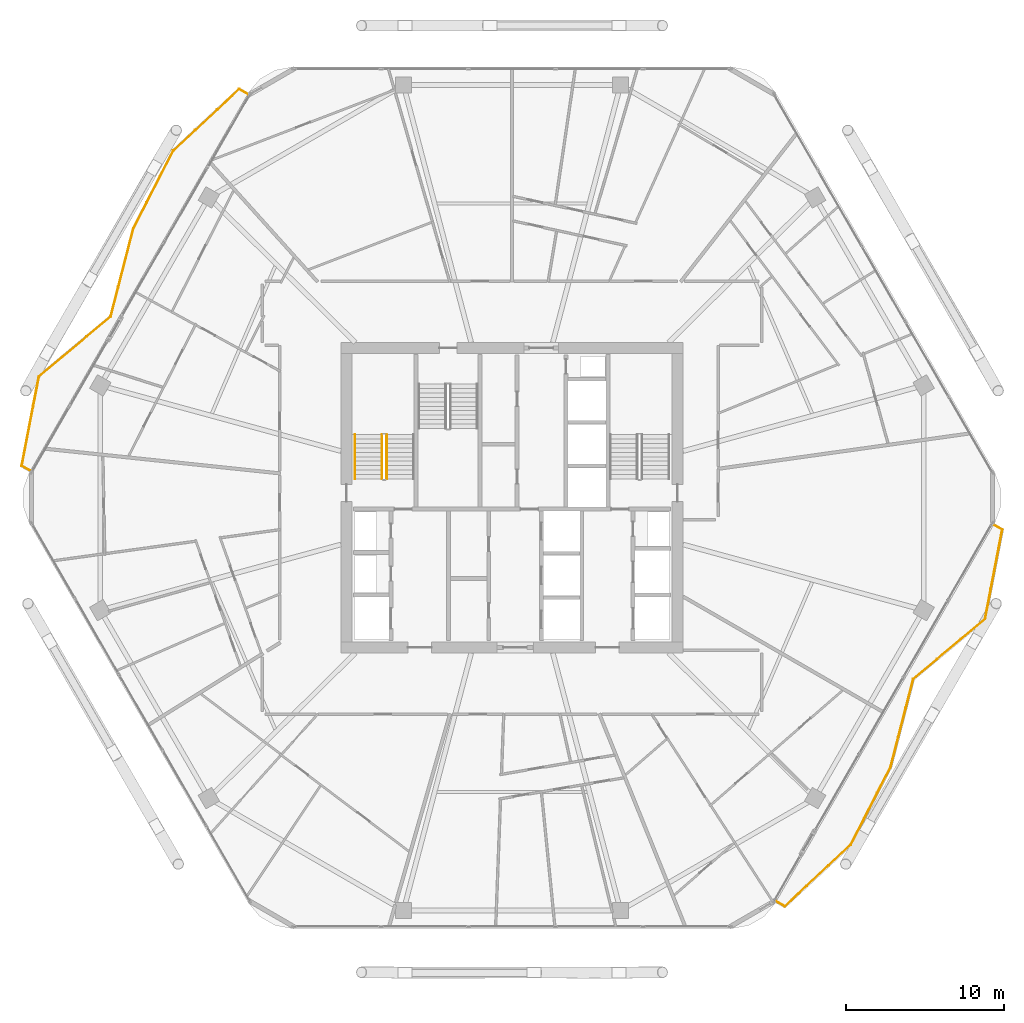
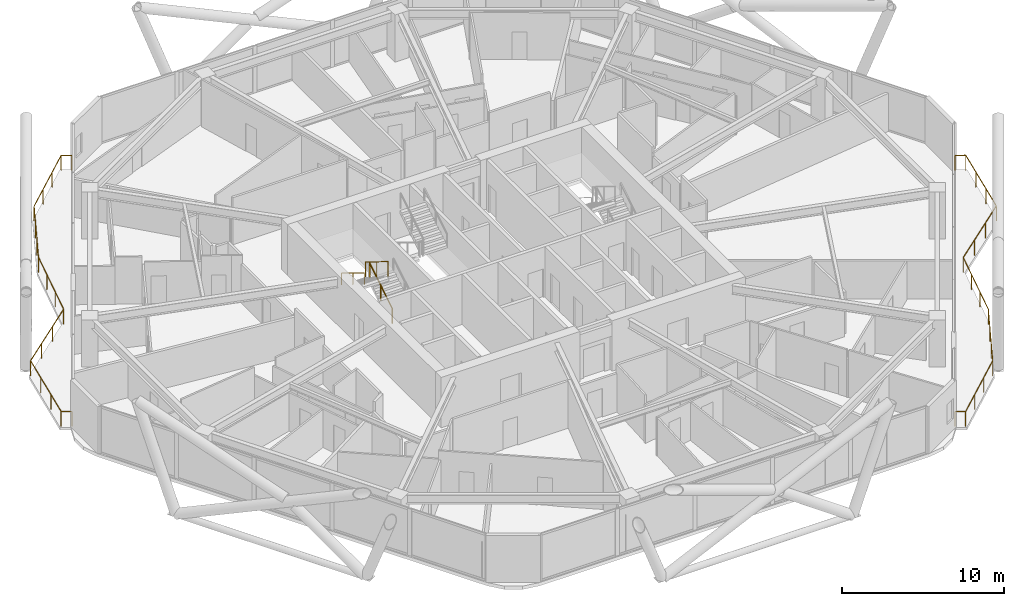
# One storey, part 27 of 28: 5 railings.
"""IFC4 building model written with IfcOpenShell, lengths in metres."""

from ifc_helpers import new_model, si_unit, direction, frame, origin, origin_2d, place, context, subcontext, project, spatial, rectangle, extrude, material, type_object, element, save


model = new_model("IFC4")

# Units and contexts
model_context = context("Model", 3, precision=1e-05, world=origin(), true_north=direction((0.0, 1.0)))
body_context = subcontext(model_context, "Body", "Model", "MODEL_VIEW")
ifc_project = project(units=[si_unit("LENGTHUNIT", "METRE"), si_unit("AREAUNIT", "SQUARE_METRE"), si_unit("VOLUMEUNIT", "CUBIC_METRE"), si_unit("PLANEANGLEUNIT", "RADIAN"), si_unit("MASSUNIT", "GRAM", prefix="KILO")], contexts=[model_context])

# Site, building, storey
site_placement = place(None, origin())
site = spatial("IfcSite", under=ifc_project, at=site_placement, CompositionType="ELEMENT")
building_placement = place(site_placement, origin())
building = spatial("IfcBuilding", under=site, at=building_placement, Name="Zuhravey Tower", CompositionType="ELEMENT")
storey_placement = place(building_placement, frame((0.0, 0.0, 154.199951171875)))
storey = spatial("IfcBuildingStorey", under=building, at=storey_placement, Name="L38", CompositionType="ELEMENT", Elevation=154.199951171875)

# Railings
ifc_material_1 = material(Name="Stainless steel 316 and laminated glass", Category="steel")
railing_type_1 = type_object("IfcRailingType", Name="Balcony & Terrace Guardrail 1150", PredefinedType="BALUSTRADE", material=ifc_material_1)
railing_1_placement = place(storey_placement, frame((5.489990234375, 33.691650390625, 0.0)))
element("IfcRailing", 1, at=railing_1_placement, inside=storey, type_object=railing_type_1, Name="L38 Face 3 Wave Balcony Guardrail GR1", PredefinedType="BALUSTRADE", context=body_context, shape_type="SweptSolid", body=[
    extrude(rectangle(XDim=0.048095703125, YDim=0.048095703125, at=origin_2d()), frame((-0.001708984375, 0.0009765625, 1.1259765625), z_axis=(-0.866100469856, 0.499869959204, 0.0), x_axis=(-0.499869959204, -0.866100469856, 0.0)), (0.0, 0.0, 1.0), 0.66455078125),
    extrude(rectangle(XDim=0.048095703125, YDim=0.048095703125, at=origin_2d()), frame((-0.57861328125, 0.336181640625, 1.1259765625), z_axis=(0.189035613178, 0.981970232212, 0.0), x_axis=(-0.981970232212, 0.189035613178, 0.0)), (0.0, 0.0, 1.0), 5.76904296875),
    extrude(rectangle(XDim=0.048095703125, YDim=0.048095703125, at=origin_2d()), frame((0.513671875, 6.00439453125, 1.1259765625), z_axis=(0.768261866055, 0.640135692776, 0.0), x_axis=(-0.640135692776, 0.768261866055, 0.0)), (0.0, 0.0, 1.0), 5.91259765625),
    extrude(rectangle(XDim=0.048095703125, YDim=0.048095703125, at=origin_2d()), frame((5.05810546875, 9.79248046875, 1.1259765625), z_axis=(0.25003239354, 0.968237471998, 0.0), x_axis=(-0.968237471998, 0.25003239354, 0.0)), (0.0, 0.0, 1.0), 5.783447265625),
    extrude(rectangle(XDim=0.048095703125, YDim=0.048095703125, at=origin_2d()), frame((6.505615234375, 15.395751953125, 1.1259765625), z_axis=(0.456804684993, 0.889567018144, 0.0), x_axis=(-0.889567018144, 0.456804684993, 0.0)), (0.0, 0.0, 1.0), 5.5302734375),
    extrude(rectangle(XDim=0.048095703125, YDim=0.048095703125, at=origin_2d()), frame((9.0341796875, 20.318603515625, 1.1259765625), z_axis=(0.731170270151, 0.682195013209, 0.0), x_axis=(-0.682195013209, 0.731170270151, 0.0)), (0.0, 0.0, 1.0), 5.7138671875),
    extrude(rectangle(XDim=0.048095703125, YDim=0.048095703125, at=origin_2d()), frame((13.215087890625, 24.216796875, 1.1259765625), z_axis=(0.86597798544, -0.50008212199, 0.0), x_axis=(0.50008212199, 0.86597798544, 0.0)), (0.0, 0.0, 1.0), 0.661865234375),
    extrude(rectangle(XDim=0.0419921875, YDim=0.0419921875, at=origin_2d()), origin(), (0.0, 0.0, 1.0), 1.099853515625),
    extrude(rectangle(XDim=0.0419921875, YDim=0.0419921875, at=origin_2d()), frame((-0.5791015625, 0.334228515625, 0.0)), (0.0, 0.0, 1.0), 1.099853515625),
    extrude(rectangle(XDim=0.0419921875, YDim=0.0419921875, at=origin_2d()), frame((-0.21533203125, 2.223876953125, 0.0)), (0.0, 0.0, 1.0), 1.099853515625),
    extrude(rectangle(XDim=0.0419921875, YDim=0.0419921875, at=origin_2d()), frame((0.1484375, 4.113525390625, 0.0)), (0.0, 0.0, 1.0), 1.099853515625),
    extrude(rectangle(XDim=0.0419921875, YDim=0.0419921875, at=origin_2d()), frame((0.51220703125, 6.003173828125, 0.0)), (0.0, 0.0, 1.0), 1.099853515625),
    extrude(rectangle(XDim=0.0419921875, YDim=0.0419921875, at=origin_2d()), frame((2.02734375, 7.265625, 0.0)), (0.0, 0.0, 1.0), 1.099853515625),
    extrude(rectangle(XDim=0.0419921875, YDim=0.0419921875, at=origin_2d()), frame((3.54248046875, 8.528076171875, 0.0)), (0.0, 0.0, 1.0), 1.099853515625),
    extrude(rectangle(XDim=0.0419921875, YDim=0.0419921875, at=origin_2d()), frame((5.0576171875, 9.79052734375, 0.0)), (0.0, 0.0, 1.0), 1.099853515625),
    extrude(rectangle(XDim=0.0419921875, YDim=0.0419921875, at=origin_2d()), frame((5.5400390625, 11.658447265625, 0.0)), (0.0, 0.0, 1.0), 1.099853515625),
    extrude(rectangle(XDim=0.0419921875, YDim=0.0419921875, at=origin_2d()), frame((6.022216796875, 13.526123046875, 0.0)), (0.0, 0.0, 1.0), 1.099853515625),
    extrude(rectangle(XDim=0.0419921875, YDim=0.0419921875, at=origin_2d()), frame((6.504638671875, 15.39404296875, 0.0)), (0.0, 0.0, 1.0), 1.099853515625),
    extrude(rectangle(XDim=0.0419921875, YDim=0.0419921875, at=origin_2d()), frame((7.347412109375, 17.03515625, 0.0)), (0.0, 0.0, 1.0), 1.099853515625),
    extrude(rectangle(XDim=0.0419921875, YDim=0.0419921875, at=origin_2d()), frame((8.18994140625, 18.676025390625, 0.0)), (0.0, 0.0, 1.0), 1.099853515625),
    extrude(rectangle(XDim=0.0419921875, YDim=0.0419921875, at=origin_2d()), frame((9.03271484375, 20.317138671875, 0.0)), (0.0, 0.0, 1.0), 1.099853515625),
    extrude(rectangle(XDim=0.0419921875, YDim=0.0419921875, at=origin_2d()), frame((10.42626953125, 21.617431640625, 0.0)), (0.0, 0.0, 1.0), 1.099853515625),
    extrude(rectangle(XDim=0.0419921875, YDim=0.0419921875, at=origin_2d()), frame((11.81982421875, 22.91748046875, 0.0)), (0.0, 0.0, 1.0), 1.099853515625),
    extrude(rectangle(XDim=0.0419921875, YDim=0.0419921875, at=origin_2d()), frame((13.21337890625, 24.2177734375, 0.0)), (0.0, 0.0, 1.0), 1.099853515625),
    extrude(rectangle(XDim=0.0419921875, YDim=0.0419921875, at=origin_2d()), frame((13.7900390625, 23.884765625, 0.0)), (0.0, 0.0, 1.0), 1.099853515625),
])
railing_2_placement = place(storey_placement, frame((66.510009765625, 30.308349609375, 0.0)))
element("IfcRailing", 2, at=railing_2_placement, inside=storey, type_object=railing_type_1, Name="L38 Face 6 Wave Balcony Guardrail GR1", PredefinedType="BALUSTRADE", context=body_context, shape_type="SweptSolid", body=[
    extrude(rectangle(XDim=0.048095703125, YDim=0.048095703125, at=origin_2d()), frame((0.001708984375, -0.0009765625, 1.1259765625), z_axis=(0.866100469856, -0.499869959204, 0.0), x_axis=(0.499869959204, 0.866100469856, 0.0)), (0.0, 0.0, 1.0), 0.66455078125),
    extrude(rectangle(XDim=0.048095703125, YDim=0.048095703125, at=origin_2d()), frame((0.57861328125, -0.336181640625, 1.1259765625), z_axis=(-0.189035613178, -0.981970232212, 0.0), x_axis=(0.981970232212, -0.189035613178, 0.0)), (0.0, 0.0, 1.0), 5.76904296875),
    extrude(rectangle(XDim=0.048095703125, YDim=0.048095703125, at=origin_2d()), frame((-0.513671875, -6.00439453125, 1.1259765625), z_axis=(-0.768261866055, -0.640135692776, 0.0), x_axis=(0.640135692776, -0.768261866055, 0.0)), (0.0, 0.0, 1.0), 5.91259765625),
    extrude(rectangle(XDim=0.048095703125, YDim=0.048095703125, at=origin_2d()), frame((-5.05810546875, -9.79248046875, 1.1259765625), z_axis=(-0.25003239354, -0.968237471998, 0.0), x_axis=(0.968237471998, -0.25003239354, 0.0)), (0.0, 0.0, 1.0), 5.783447265625),
    extrude(rectangle(XDim=0.048095703125, YDim=0.048095703125, at=origin_2d()), frame((-6.505615234375, -15.395751953125, 1.1259765625), z_axis=(-0.456804684993, -0.889567018144, 0.0), x_axis=(0.889567018144, -0.456804684993, 0.0)), (0.0, 0.0, 1.0), 5.5302734375),
    extrude(rectangle(XDim=0.048095703125, YDim=0.048095703125, at=origin_2d()), frame((-9.0341796875, -20.318603515625, 1.1259765625), z_axis=(-0.731170270151, -0.682195013209, 0.0), x_axis=(0.682195013209, -0.731170270151, 0.0)), (0.0, 0.0, 1.0), 5.7138671875),
    extrude(rectangle(XDim=0.048095703125, YDim=0.048095703125, at=origin_2d()), frame((-13.215087890625, -24.216796875, 1.1259765625), z_axis=(-0.86597798544, 0.50008212199, 0.0), x_axis=(-0.50008212199, -0.86597798544, 0.0)), (0.0, 0.0, 1.0), 0.661865234375),
    extrude(rectangle(XDim=0.0419921875, YDim=0.0419921875, at=origin_2d()), origin(), (0.0, 0.0, 1.0), 1.099853515625),
    extrude(rectangle(XDim=0.0419921875, YDim=0.0419921875, at=origin_2d()), frame((0.5791015625, -0.334228515625, 0.0)), (0.0, 0.0, 1.0), 1.099853515625),
    extrude(rectangle(XDim=0.0419921875, YDim=0.0419921875, at=origin_2d()), frame((0.21533203125, -2.223876953125, 0.0)), (0.0, 0.0, 1.0), 1.099853515625),
    extrude(rectangle(XDim=0.0419921875, YDim=0.0419921875, at=origin_2d()), frame((-0.1484375, -4.113525390625, 0.0)), (0.0, 0.0, 1.0), 1.099853515625),
    extrude(rectangle(XDim=0.0419921875, YDim=0.0419921875, at=origin_2d()), frame((-0.51220703125, -6.003173828125, 0.0)), (0.0, 0.0, 1.0), 1.099853515625),
    extrude(rectangle(XDim=0.0419921875, YDim=0.0419921875, at=origin_2d()), frame((-2.02734375, -7.265625, 0.0)), (0.0, 0.0, 1.0), 1.099853515625),
    extrude(rectangle(XDim=0.0419921875, YDim=0.0419921875, at=origin_2d()), frame((-3.54248046875, -8.528076171875, 0.0)), (0.0, 0.0, 1.0), 1.099853515625),
    extrude(rectangle(XDim=0.0419921875, YDim=0.0419921875, at=origin_2d()), frame((-5.0576171875, -9.79052734375, 0.0)), (0.0, 0.0, 1.0), 1.099853515625),
    extrude(rectangle(XDim=0.0419921875, YDim=0.0419921875, at=origin_2d()), frame((-5.5400390625, -11.658447265625, 0.0)), (0.0, 0.0, 1.0), 1.099853515625),
    extrude(rectangle(XDim=0.0419921875, YDim=0.0419921875, at=origin_2d()), frame((-6.022216796875, -13.526123046875, 0.0)), (0.0, 0.0, 1.0), 1.099853515625),
    extrude(rectangle(XDim=0.0419921875, YDim=0.0419921875, at=origin_2d()), frame((-6.504638671875, -15.39404296875, 0.0)), (0.0, 0.0, 1.0), 1.099853515625),
    extrude(rectangle(XDim=0.0419921875, YDim=0.0419921875, at=origin_2d()), frame((-7.347412109375, -17.03515625, 0.0)), (0.0, 0.0, 1.0), 1.099853515625),
    extrude(rectangle(XDim=0.0419921875, YDim=0.0419921875, at=origin_2d()), frame((-8.18994140625, -18.676025390625, 0.0)), (0.0, 0.0, 1.0), 1.099853515625),
    extrude(rectangle(XDim=0.0419921875, YDim=0.0419921875, at=origin_2d()), frame((-9.03271484375, -20.317138671875, 0.0)), (0.0, 0.0, 1.0), 1.099853515625),
    extrude(rectangle(XDim=0.0419921875, YDim=0.0419921875, at=origin_2d()), frame((-10.42626953125, -21.617431640625, 0.0)), (0.0, 0.0, 1.0), 1.099853515625),
    extrude(rectangle(XDim=0.0419921875, YDim=0.0419921875, at=origin_2d()), frame((-11.81982421875, -22.91748046875, 0.0)), (0.0, 0.0, 1.0), 1.099853515625),
    extrude(rectangle(XDim=0.0419921875, YDim=0.0419921875, at=origin_2d()), frame((-13.21337890625, -24.2177734375, 0.0)), (0.0, 0.0, 1.0), 1.099853515625),
    extrude(rectangle(XDim=0.0419921875, YDim=0.0419921875, at=origin_2d()), frame((-13.7900390625, -23.884765625, 0.0)), (0.0, 0.0, 1.0), 1.099853515625),
])
ifc_material_2 = material(Name="Brushed stainless steel", Category="steel")
railing_type_2 = type_object("IfcRailingType", Name="Stair Wall Handrail 900", PredefinedType="HANDRAIL", material=ifc_material_2)
railing_3_placement = place(storey_placement, frame((26.050048828125, 36.0, 2.07275390625)))
element("IfcRailing", 3, at=railing_3_placement, inside=storey, type_object=railing_type_2, Name="L38 ST1 stair handrail 2", PredefinedType="HANDRAIL", context=body_context, shape_type="SweptSolid", body=[
    extrude(rectangle(XDim=0.048095703125, YDim=0.048095703125, at=origin_2d()), frame((0.0, -0.001708984375, 0.876953125), z_axis=(0.0, -0.851089632645, 0.525020415988), x_axis=(1.0, 0.0, 0.0)), (0.0, 0.0, 1.0), 3.285888671875),
    extrude(rectangle(XDim=0.0419921875, YDim=0.0419921875, at=origin_2d()), origin(), (0.0, 0.0, 1.0), 0.849853515625),
    extrude(rectangle(XDim=0.0419921875, YDim=0.0419921875, at=origin_2d()), frame((0.0, -1.39990234375, 0.86376953125)), (0.0, 0.0, 1.0), 0.849853515625),
    extrude(rectangle(XDim=0.0419921875, YDim=0.0419921875, at=origin_2d()), frame((0.0, -2.800048828125, 1.727294921875)), (0.0, 0.0, 1.0), 0.849853515625),
])
ifc_material_3 = material(Name="Painted tubular steel", Category="steel")
railing_type_3 = type_object("IfcRailingType", Name="Stair Well Guardrail 1150", PredefinedType="GUARDRAIL", material=ifc_material_3)
railing_4_placement = place(storey_placement, frame((28.050048828125, 33.199951171875, 0.1728515625)))
element("IfcRailing", 4, at=railing_4_placement, inside=storey, type_object=railing_type_3, Name="L38 ST1 stair guard 1", PredefinedType="GUARDRAIL", context=body_context, shape_type="SweptSolid", body=[
    extrude(rectangle(XDim=0.048095703125, YDim=0.048095703125, at=origin_2d()), frame((0.0, 0.001708984375, 1.126953125), z_axis=(0.0, 0.851089632645, 0.525020415988), x_axis=(-1.0, 0.0, 0.0)), (0.0, 0.0, 1.0), 3.285888671875),
    extrude(rectangle(XDim=0.0419921875, YDim=0.0419921875, at=origin_2d()), origin(), (0.0, 0.0, 1.0), 1.099853515625),
    extrude(rectangle(XDim=0.0419921875, YDim=0.0419921875, at=origin_2d()), frame((0.0, 1.39990234375, 0.86376953125)), (0.0, 0.0, 1.0), 1.099853515625),
    extrude(rectangle(XDim=0.0419921875, YDim=0.0419921875, at=origin_2d()), frame((0.0, 2.800048828125, 1.727294921875)), (0.0, 0.0, 1.0), 1.099853515625),
])
railing_5_placement = place(storey_placement, frame((27.75, 36.0, 2.07275390625)))
element("IfcRailing", 5, at=railing_5_placement, inside=storey, type_object=railing_type_3, Name="L38 ST1 stair guard 3", PredefinedType="GUARDRAIL", context=body_context, shape_type="SweptSolid", body=[
    extrude(rectangle(XDim=0.048095703125, YDim=0.048095703125, at=origin_2d()), frame((0.0, -0.001708984375, 1.126953125), z_axis=(0.0, -0.851089632645, 0.525020415988), x_axis=(1.0, 0.0, 0.0)), (0.0, 0.0, 1.0), 3.285888671875),
    extrude(rectangle(XDim=0.0419921875, YDim=0.0419921875, at=origin_2d()), origin(), (0.0, 0.0, 1.0), 1.099853515625),
    extrude(rectangle(XDim=0.0419921875, YDim=0.0419921875, at=origin_2d()), frame((0.0, -1.39990234375, 0.86376953125)), (0.0, 0.0, 1.0), 1.099853515625),
    extrude(rectangle(XDim=0.0419921875, YDim=0.0419921875, at=origin_2d()), frame((0.0, -2.800048828125, 1.727294921875)), (0.0, 0.0, 1.0), 1.099853515625),
])

save(model, "model.ifc")
